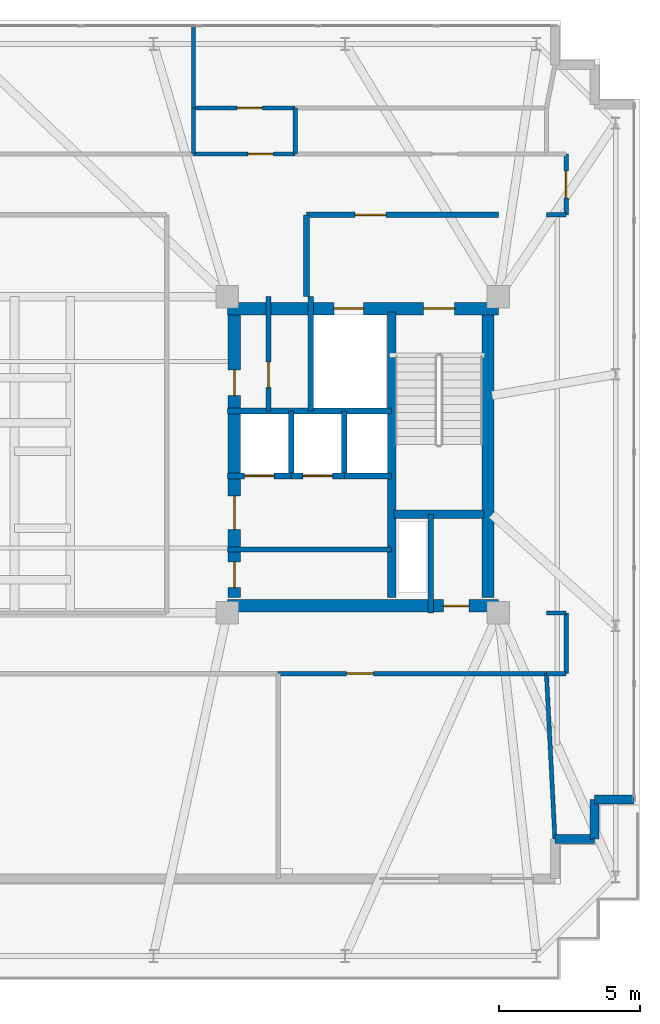
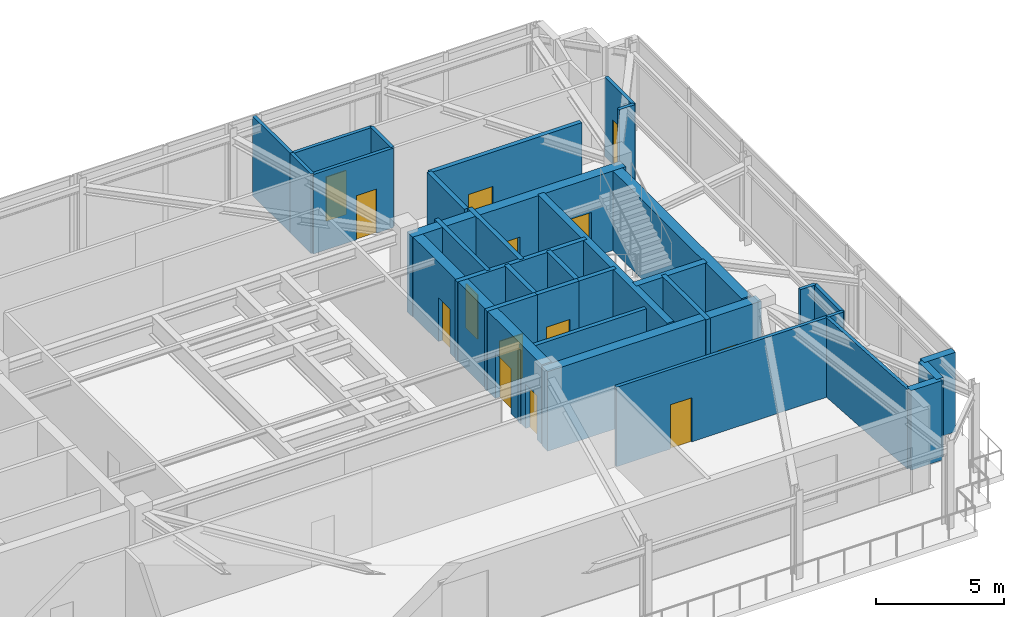
# One storey, part 20 of 24: 33 walls, 14 doors, 14 openings.
"""IFC4 building model written with IfcOpenShell, lengths in metres."""

from ifc_helpers import new_model, si_unit, direction, frame, frame_2d, origin, place, context, subcontext, project, spatial, rectangle, extrude, material, layer, layer_set, type_object, element, fill, save


model = new_model("IFC4")

# Units and contexts
model_context = context("Model", 3, precision=1e-05, world=origin(), true_north=direction((0.0, 1.0)))
body_context = subcontext(model_context, "Body", "Model", "MODEL_VIEW")
ifc_project = project(units=[si_unit("LENGTHUNIT", "METRE"), si_unit("AREAUNIT", "SQUARE_METRE"), si_unit("VOLUMEUNIT", "CUBIC_METRE"), si_unit("PLANEANGLEUNIT", "RADIAN"), si_unit("MASSUNIT", "GRAM", prefix="KILO")], contexts=[model_context])

# Site, building, storey
site_placement = place(None, origin())
site = spatial("IfcSite", under=ifc_project, at=site_placement, CompositionType="ELEMENT")
building_placement = place(site_placement, origin())
building = spatial("IfcBuilding", under=site, at=building_placement, Name="Qobustan Lattice House", CompositionType="ELEMENT")
storey_placement = place(building_placement, frame((0.0, 0.0, 261.800048828125)))
storey = spatial("IfcBuildingStorey", under=building, at=storey_placement, Name="L74", CompositionType="ELEMENT", Elevation=261.800048828125)

# Wall, openings, doors
ifc_material_1 = material(Name="Concrete C50/60", Category="concrete")
ifc_layer_1 = layer(ifc_material_1, 0.43994140625)
ifc_layer_set_1 = layer_set([ifc_layer_1], Name="Concrete C50/60")
wall_type_1 = type_object("IfcWallType", Name="WAL-CORE-440", PredefinedType="SHEAR", material=ifc_layer_set_1)
wall_1_placement = place(storey_placement, frame((9.199951171875, 5.179931640625, 0.0), z_axis=(0.0, 0.0, 1.0), x_axis=(1.0, 0.0, 0.0)))
wall_1 = element("IfcWall", 1, at=wall_1_placement, inside=storey, type_object=wall_type_1, Name="L74 split-core shear wall CE-N", PredefinedType="SHEAR", context=body_context, shape_type="SweptSolid", body=[
    extrude(rectangle(XDim=9.60009765625, YDim=0.43994140625, at=frame_2d((4.800048828125, 0.0))), origin(), (0.0, 0.0, 1.0), 3.780029296875),
])
opening_1_placement = place(wall_1_placement, frame((6.949951171875, 0.0, 0.0)))
opening_1 = element("IfcOpeningElement", 2, at=opening_1_placement, cuts=wall_1, Name="Opening SD-01", PredefinedType="OPENING", context=body_context, shape_type="SweptSolid", body=[
    extrude(rectangle(XDim=1.10009765625, YDim=2.14990234375, at=frame_2d((0.550048828125, 1.074951171875))), frame((0.0, 0.22998046875, 0.0), z_axis=(0.0, -1.0, 0.0), x_axis=(1.0, 0.0, 0.0)), (0.0, 0.0, 1.0), 0.4599609375),
])
opening_2_placement = place(wall_1_placement, frame((3.77490234375, 0.0, 0.0)))
opening_2 = element("IfcOpeningElement", 3, at=opening_2_placement, cuts=wall_1, Name="Opening LD-01", PredefinedType="OPENING", context=body_context, shape_type="SweptSolid", body=[
    extrude(rectangle(XDim=1.050048828125, YDim=2.10009765625, at=frame_2d((0.52490234375, 1.050048828125))), frame((0.0, 0.22998046875, 0.0), z_axis=(0.0, -1.0, 0.0), x_axis=(1.0, 0.0, 0.0)), (0.0, 0.0, 1.0), 0.4599609375),
])
ifc_material_2 = material(Name="Persian walnut timber and steel frame door", Category="steel")
door_type_1 = type_object("IfcDoorType", Name="DOR-LIFT-LD-1050x2100", OperationType="NOTDEFINED", PredefinedType="DOOR", material=ifc_material_2)
door_1_placement = place(opening_2_placement, origin())
door_1 = element("IfcDoor", 4, at=door_1_placement, inside=storey, type_object=door_type_1, Name="L74 firefighting lift FF-E landing door", OperationType="DOUBLE_DOOR_SLIDING", OverallHeight=2.10009765625, OverallWidth=1.050048828125, PredefinedType="DOOR", context=body_context, shape_type="SweptSolid", body=[
    extrude(rectangle(XDim=1.050048828125, YDim=2.10009765625, at=frame_2d((0.52490234375, 1.050048828125))), frame((0.0, 0.02490234375, 0.0), z_axis=(0.0, -1.0, 0.0), x_axis=(1.0, 0.0, 0.0)), (0.0, 0.0, 1.0), 0.050048828125),
])
fill(opening_2, door_1)
ifc_material_3 = material(Name="Persian walnut timber and steel frame door", Category="steel")
door_type_2 = type_object("IfcDoorType", Name="DOR-STAIR-FD-1100x2150", OperationType="NOTDEFINED", PredefinedType="DOOR", material=ifc_material_3)
door_2_placement = place(opening_1_placement, origin())
door_2 = element("IfcDoor", 5, at=door_2_placement, inside=storey, type_object=door_type_2, Name="L74 exit stair ST-E1 fire door", OperationType="SINGLE_SWING_RIGHT", OverallHeight=2.14990234375, OverallWidth=1.10009765625, PredefinedType="DOOR", context=body_context, shape_type="SweptSolid", body=[
    extrude(rectangle(XDim=1.10009765625, YDim=2.14990234375, at=frame_2d((0.550048828125, 1.074951171875))), frame((0.0, 0.02490234375, 0.0), z_axis=(0.0, -1.0, 0.0), x_axis=(1.0, 0.0, 0.0)), (0.0, 0.0, 1.0), 0.050048828125),
])
fill(opening_1, door_2)

# Wall, opening, door
wall_2_placement = place(storey_placement, frame((9.199951171875, -5.35009765625, 0.0), z_axis=(0.0, 0.0, 1.0), x_axis=(1.0, 0.0, 0.0)))
wall_2 = element("IfcWall", 6, at=wall_2_placement, inside=storey, type_object=wall_type_1, Name="L74 split-core shear wall CE-S", PredefinedType="SHEAR", context=body_context, shape_type="SweptSolid", body=[
    extrude(rectangle(XDim=9.60009765625, YDim=0.43994140625, at=frame_2d((4.800048828125, 0.0))), origin(), (0.0, 0.0, 1.0), 3.780029296875),
])
opening_3_placement = place(wall_2_placement, frame((7.64990234375, 0.0, 0.0)))
opening_3 = element("IfcOpeningElement", 7, at=opening_3_placement, cuts=wall_2, Name="Opening RD-01", PredefinedType="OPENING", context=body_context, shape_type="SweptSolid", body=[
    extrude(rectangle(XDim=0.89990234375, YDim=2.10009765625, at=frame_2d((0.449951171875, 1.050048828125))), frame((0.0, 0.22998046875, 0.0), z_axis=(0.0, -1.0, 0.0), x_axis=(1.0, 0.0, 0.0)), (0.0, 0.0, 1.0), 0.4599609375),
])
ifc_material_4 = material(Name="Persian walnut timber and steel frame door", Category="steel")
door_type_3 = type_object("IfcDoorType", Name="DOR-RISER-FD-900x2100", OperationType="NOTDEFINED", PredefinedType="DOOR", material=ifc_material_4)
door_3_placement = place(opening_3_placement, origin())
door_3 = element("IfcDoor", 8, at=door_3_placement, inside=storey, type_object=door_type_3, Name="L74 core service riser access door E", OperationType="SINGLE_SWING_RIGHT", OverallHeight=2.10009765625, OverallWidth=0.89990234375, PredefinedType="DOOR", context=body_context, shape_type="SweptSolid", body=[
    extrude(rectangle(XDim=0.89990234375, YDim=2.10009765625, at=frame_2d((0.449951171875, 1.050048828125))), frame((0.0, 0.02490234375, 0.0), z_axis=(0.0, -1.0, 0.0), x_axis=(1.0, 0.0, 0.0)), (0.0, 0.0, 1.0), 0.050048828125),
])
fill(opening_3, door_3)

# Wall, openings, doors
wall_3_placement = place(storey_placement, frame((9.449951171875, -5.050048828125, 0.0), z_axis=(0.0, 0.0, 1.0), x_axis=(0.0, 1.0, 0.0)))
wall_3 = element("IfcWall", 9, at=wall_3_placement, inside=storey, type_object=wall_type_1, Name="L74 split-core shear wall CE-W", PredefinedType="SHEAR", context=body_context, shape_type="SweptSolid", body=[
    extrude(rectangle(XDim=10.10009765625, YDim=0.43994140625, at=frame_2d((5.050048828125, 0.0))), origin(), (0.0, 0.0, 1.0), 3.780029296875),
])
opening_4_placement = place(wall_3_placement, frame((7.14990234375, 0.0, 0.0)))
opening_4 = element("IfcOpeningElement", 10, at=opening_4_placement, cuts=wall_3, Name="Opening RD-01", PredefinedType="OPENING", context=body_context, shape_type="SweptSolid", body=[
    extrude(rectangle(XDim=0.89990234375, YDim=2.10009765625, at=frame_2d((0.449951171875, 1.050048828125))), frame((0.0, 0.22998046875, 0.0), z_axis=(0.0, -1.0, 0.0), x_axis=(1.0, 0.0, 0.0)), (0.0, 0.0, 1.0), 0.4599609375),
])
opening_5_placement = place(wall_3_placement, frame((2.39990234375, 0.0, 0.0)))
opening_5 = element("IfcOpeningElement", 11, at=opening_5_placement, cuts=wall_3, Name="Opening FD-01", PredefinedType="OPENING", context=body_context, shape_type="SweptSolid", body=[
    extrude(rectangle(XDim=1.199951171875, YDim=2.14990234375, at=frame_2d((0.60009765625, 1.074951171875))), frame((0.0, 0.22998046875, 0.0), z_axis=(0.0, -1.0, 0.0), x_axis=(1.0, 0.0, 0.0)), (0.0, 0.0, 1.0), 0.4599609375),
])
opening_6_placement = place(wall_3_placement, frame((0.35009765625, 0.0, 0.0)))
opening_6 = element("IfcOpeningElement", 12, at=opening_6_placement, cuts=wall_3, Name="Opening RD-01", PredefinedType="OPENING", context=body_context, shape_type="SweptSolid", body=[
    extrude(rectangle(XDim=0.89990234375, YDim=2.10009765625, at=frame_2d((0.449951171875, 1.050048828125))), frame((0.0, 0.22998046875, 0.0), z_axis=(0.0, -1.0, 0.0), x_axis=(1.0, 0.0, 0.0)), (0.0, 0.0, 1.0), 0.4599609375),
])
ifc_material_5 = material(Name="Persian walnut timber and steel frame door", Category="steel")
door_type_4 = type_object("IfcDoorType", Name="DOR-LOBBY-FD-1200x2150", OperationType="NOTDEFINED", PredefinedType="DOOR", material=ifc_material_5)
door_4_placement = place(opening_5_placement, origin())
door_4 = element("IfcDoor", 13, at=door_4_placement, inside=storey, type_object=door_type_4, Name="L74 East passenger lift lobby fire door", OperationType="SINGLE_SWING_LEFT", OverallHeight=2.14990234375, OverallWidth=1.199951171875, PredefinedType="DOOR", context=body_context, shape_type="SweptSolid", body=[
    extrude(rectangle(XDim=1.199951171875, YDim=2.14990234375, at=frame_2d((0.60009765625, 1.074951171875))), frame((0.0, 0.02490234375, 0.0), z_axis=(0.0, -1.0, 0.0), x_axis=(1.0, 0.0, 0.0)), (0.0, 0.0, 1.0), 0.050048828125),
])
fill(opening_5, door_4)
door_5_placement = place(opening_4_placement, origin())
door_5 = element("IfcDoor", 14, at=door_5_placement, inside=storey, type_object=door_type_3, Name="L74 Print and mail closet fire door", OperationType="SINGLE_SWING_RIGHT", OverallHeight=2.10009765625, OverallWidth=0.89990234375, PredefinedType="DOOR", context=body_context, shape_type="SweptSolid", body=[
    extrude(rectangle(XDim=0.89990234375, YDim=2.10009765625, at=frame_2d((0.449951171875, 1.050048828125))), frame((0.0, 0.02490234375, 0.0), z_axis=(0.0, -1.0, 0.0), x_axis=(1.0, 0.0, 0.0)), (0.0, 0.0, 1.0), 0.050048828125),
])
fill(opening_4, door_5)
door_6_placement = place(opening_6_placement, origin())
door_6 = element("IfcDoor", 15, at=door_6_placement, inside=storey, type_object=door_type_3, Name="L74 Graduate seminar alcove fire door", OperationType="SINGLE_SWING_RIGHT", OverallHeight=2.10009765625, OverallWidth=0.89990234375, PredefinedType="DOOR", context=body_context, shape_type="SweptSolid", body=[
    extrude(rectangle(XDim=0.89990234375, YDim=2.10009765625, at=frame_2d((0.449951171875, 1.050048828125))), frame((0.0, 0.02490234375, 0.0), z_axis=(0.0, -1.0, 0.0), x_axis=(1.0, 0.0, 0.0)), (0.0, 0.0, 1.0), 0.050048828125),
])
fill(opening_6, door_6)

# Walls
wall_4_placement = place(storey_placement, frame((18.429931640625, -5.050048828125, 0.0), z_axis=(0.0, 0.0, 1.0), x_axis=(0.0, 1.0, 0.0)))
element("IfcWall", 16, at=wall_4_placement, inside=storey, type_object=wall_type_1, Name="L74 split-core shear wall CE-E", PredefinedType="SHEAR", context=body_context, shape_type="SweptSolid", body=[
    extrude(rectangle(XDim=10.10009765625, YDim=0.43994140625, at=frame_2d((5.050048828125, 0.0))), origin(), (0.0, 0.0, 1.0), 3.780029296875),
])
ifc_material_6 = material(Name="Concrete C50/60", Category="concrete")
ifc_layer_2 = layer(ifc_material_6, 0.280029296875)
ifc_layer_set_2 = layer_set([ifc_layer_2], Name="Concrete C50/60")
wall_type_2 = type_object("IfcWallType", Name="WAL-CORE-SPINE-280", PredefinedType="SHEAR", material=ifc_layer_set_2)
wall_5_placement = place(storey_placement, frame((15.02001953125, -5.050048828125, 0.0), z_axis=(0.0, 0.0, 1.0), x_axis=(0.0, 1.0, 0.0)))
element("IfcWall", 17, at=wall_5_placement, inside=storey, type_object=wall_type_2, Name="L74 split-core shear wall CE-M", PredefinedType="SHEAR", context=body_context, shape_type="SweptSolid", body=[
    extrude(rectangle(XDim=10.10009765625, YDim=0.300048828125, at=frame_2d((5.050048828125, 0.0))), origin(), (0.0, 0.0, 1.0), 3.780029296875),
])
wall_6_placement = place(storey_placement, frame((15.10009765625, -2.110107421875, 0.0), z_axis=(0.0, 0.0, 1.0), x_axis=(1.0, 0.0, 0.0)))
element("IfcWall", 18, at=wall_6_placement, inside=storey, type_object=wall_type_2, Name="L74 split-core shear wall CE-ST", PredefinedType="SHEAR", context=body_context, shape_type="SweptSolid", body=[
    extrude(rectangle(XDim=3.179931640625, YDim=0.300048828125, at=frame_2d((1.58984375, 0.0))), origin(), (0.0, 0.0, 1.0), 3.780029296875),
])
ifc_material_7 = material(Name="Precast concrete C40/50", Category="concrete")
ifc_layer_3 = layer(ifc_material_7, 0.320068359375)
ifc_layer_set_3 = layer_set([ifc_layer_3], Name="Precast concrete C40/50")
wall_type_3 = type_object("IfcWallType", Name="WAL-EXT-STONE-320", PredefinedType="SOLIDWALL", material=ifc_layer_set_3)
for number, where, z_axis, x_axis, name in (
    (19, (23.60009765625, -12.199951171875, 0.0), (0.0, 0.0, 1.0), (-1.0, 0.0, 0.0), "L74 exterior limestone-clad wall 16"),
    (20, (22.199951171875, -12.199951171875, 0.0), (0.0, 0.0, 1.0), (0.0, -1.0, 0.0), "L74 exterior limestone-clad wall 17"),
):
    element("IfcWall", number, at=place(storey_placement, frame(where, z_axis=z_axis, x_axis=x_axis)), inside=storey, type_object=wall_type_3, Name=name, PredefinedType="SOLIDWALL", context=body_context, shape_type="SweptSolid", body=[
        extrude(rectangle(XDim=1.400146484375, YDim=0.320068359375, at=frame_2d((0.7001953125, 0.0))), origin(), (0.0, 0.0, 1.0), 3.780029296875),
    ])
wall_7_placement = place(storey_placement, frame((22.199951171875, -13.60009765625, 0.0), z_axis=(0.0, 0.0, 1.0), x_axis=(-1.0, 0.0, 0.0)))
element("IfcWall", 21, at=wall_7_placement, inside=storey, type_object=wall_type_3, Name="L74 exterior limestone-clad wall 18", PredefinedType="SOLIDWALL", context=body_context, shape_type="SweptSolid", body=[
    extrude(rectangle(XDim=1.39990234375, YDim=0.320068359375, at=frame_2d((0.699951171875, 0.0))), origin(), (0.0, 0.0, 1.0), 3.780029296875),
])

# Wall, opening, door
ifc_material_8 = material(Name="Gypsum fireboard acoustic partition", Category="gypsum")
ifc_layer_4 = layer(ifc_material_8, 0.179931640625)
ifc_layer_set_4 = layer_set([ifc_layer_4], Name="Gypsum fireboard acoustic partition")
wall_type_4 = type_object("IfcWallType", Name="WAL-FIRE-180", PredefinedType="PARTITIONING", material=ifc_layer_set_4)
wall_8_placement = place(storey_placement, frame((10.64990234375, 1.550048828125, 0.0), z_axis=(0.0, 0.0, 1.0), x_axis=(0.0, 1.0, 0.0)))
wall_8 = element("IfcWall", 22, at=wall_8_placement, inside=storey, type_object=wall_type_4, Name="L74 interior partition 16", PredefinedType="PARTITIONING", context=body_context, shape_type="SweptSolid", body=[
    extrude(rectangle(XDim=4.050048828125, YDim=0.179931640625, at=frame_2d((2.02490234375, 0.0))), origin(), (0.0, 0.0, 1.0), 3.780029296875),
])
opening_7_placement = place(wall_8_placement, frame((0.828857421875, 0.0, 0.0)))
opening_7 = element("IfcOpeningElement", 23, at=opening_7_placement, cuts=wall_8, Name="Opening RD-01", PredefinedType="OPENING", context=body_context, shape_type="SweptSolid", body=[
    extrude(rectangle(XDim=0.89990234375, YDim=2.10009765625, at=frame_2d((0.449951171875, 1.050048828125))), frame((0.0, 0.099853515625, 0.0), z_axis=(0.0, -1.0, 0.0), x_axis=(1.0, 0.0, 0.0)), (0.0, 0.0, 1.0), 0.199951171875),
])
door_7_placement = place(opening_7_placement, origin())
door_7 = element("IfcDoor", 24, at=door_7_placement, inside=storey, type_object=door_type_3, Name="L74 Print and mail closet to Core utility store door", OperationType="SINGLE_SWING_LEFT", OverallHeight=2.10009765625, OverallWidth=0.89990234375, PredefinedType="DOOR", context=body_context, shape_type="SweptSolid", body=[
    extrude(rectangle(XDim=0.89990234375, YDim=2.10009765625, at=frame_2d((0.449951171875, 1.050048828125))), frame((0.0, 0.02490234375, 0.0), z_axis=(0.0, -1.0, 0.0), x_axis=(1.0, 0.0, 0.0)), (0.0, 0.0, 1.0), 0.050048828125),
])
fill(opening_7, door_7)

# Wall
wall_9_placement = place(storey_placement, frame((9.199951171875, -3.35009765625, 0.0), z_axis=(0.0, 0.0, 1.0), x_axis=(1.0, 0.0, 0.0)))
element("IfcWall", 25, at=wall_9_placement, inside=storey, type_object=wall_type_4, Name="L74 interior partition 18", PredefinedType="PARTITIONING", context=body_context, shape_type="SweptSolid", body=[
    extrude(rectangle(XDim=5.820068359375, YDim=0.179931640625, at=frame_2d((2.91015625, 0.0))), origin(), (0.0, 0.0, 1.0), 3.494873046875),
])

# Wall, opening, door
ifc_material_9 = material(Name="Acoustic twin-stud gypsum partition", Category="gypsum")
ifc_layer_5 = layer(ifc_material_9, 0.14990234375)
ifc_layer_set_5 = layer_set([ifc_layer_5], Name="Acoustic twin-stud gypsum partition")
wall_type_5 = type_object("IfcWallType", Name="WAL-PART-150", PredefinedType="PARTITIONING", material=ifc_layer_set_5)
wall_10_placement = place(storey_placement, frame((21.199951171875, 10.64990234375, 0.0), z_axis=(0.0, 0.0, 1.0), x_axis=(0.0, -1.0, 0.0)))
wall_10 = element("IfcWall", 26, at=wall_10_placement, inside=storey, type_object=wall_type_5, Name="L74 interior partition 31", PredefinedType="PARTITIONING", context=body_context, shape_type="SweptSolid", body=[
    extrude(rectangle(XDim=2.14990234375, YDim=0.14990234375, at=frame_2d((1.074951171875, 0.0))), origin(), (0.0, 0.0, 1.0), 3.780029296875),
])
opening_8_placement = place(wall_10_placement, frame((0.60009765625, 0.0, 0.0)))
opening_8 = element("IfcOpeningElement", 27, at=opening_8_placement, cuts=wall_10, Name="Opening ID-01", PredefinedType="OPENING", context=body_context, shape_type="SweptSolid", body=[
    extrude(rectangle(XDim=0.949951171875, YDim=2.10009765625, at=frame_2d((0.47509765625, 1.050048828125))), frame((0.0, 0.0849609375, 0.0), z_axis=(0.0, -1.0, 0.0), x_axis=(1.0, 0.0, 0.0)), (0.0, 0.0, 1.0), 0.169921875),
])
ifc_material_10 = material(Name="Persian walnut timber and steel frame door", Category="steel")
door_type_5 = type_object("IfcDoorType", Name="DOR-ROOM-950x2100", OperationType="NOTDEFINED", PredefinedType="DOOR", material=ifc_material_10)
door_8_placement = place(opening_8_placement, origin())
door_8 = element("IfcDoor", 28, at=door_8_placement, inside=storey, type_object=door_type_5, Name="L74 North-east floor corridor to Telescope and audio equipment store door", OperationType="SINGLE_SWING_LEFT", OverallHeight=2.10009765625, OverallWidth=0.949951171875, PredefinedType="DOOR", context=body_context, shape_type="SweptSolid", body=[
    extrude(rectangle(XDim=0.949951171875, YDim=2.10009765625, at=frame_2d((0.47509765625, 1.050048828125))), frame((0.0, 0.02490234375, 0.0), z_axis=(0.0, -1.0, 0.0), x_axis=(1.0, 0.0, 0.0)), (0.0, 0.0, 1.0), 0.050048828125),
])
fill(opening_8, door_8)

# Wall
wall_11_placement = place(storey_placement, frame((21.199951171875, 8.5, 0.0), z_axis=(0.0, 0.0, 1.0), x_axis=(-1.0, 0.0, 0.0)))
element("IfcWall", 29, at=wall_11_placement, inside=storey, type_object=wall_type_5, Name="L74 interior partition 33", PredefinedType="PARTITIONING", context=body_context, shape_type="SweptSolid", body=[
    extrude(rectangle(XDim=0.699951171875, YDim=0.14990234375, at=frame_2d((0.35009765625, 0.0))), origin(), (0.0, 0.0, 1.0), 3.780029296875),
])

# Wall, opening, door
wall_12_placement = place(storey_placement, frame((20.5, -7.75, 0.0), z_axis=(0.0, 0.0, 1.0), x_axis=(-1.0, 0.0, 0.0)))
wall_12 = element("IfcWall", 30, at=wall_12_placement, inside=storey, type_object=wall_type_5, Name="L74 interior partition 45", PredefinedType="PARTITIONING", context=body_context, shape_type="SweptSolid", body=[
    extrude(rectangle(XDim=9.5, YDim=0.14990234375, at=frame_2d((4.75, 0.0))), origin(), (0.0, 0.0, 1.0), 3.780029296875),
])
opening_9_placement = place(wall_12_placement, frame((6.12255859375, 0.0, 0.0)))
opening_9 = element("IfcOpeningElement", 31, at=opening_9_placement, cuts=wall_12, Name="Opening ID-01", PredefinedType="OPENING", context=body_context, shape_type="SweptSolid", body=[
    extrude(rectangle(XDim=0.949951171875, YDim=2.10009765625, at=frame_2d((0.47509765625, 1.050048828125))), frame((0.0, 0.0849609375, 0.0), z_axis=(0.0, -1.0, 0.0), x_axis=(1.0, 0.0, 0.0)), (0.0, 0.0, 1.0), 0.169921875),
])
door_9_placement = place(opening_9_placement, origin())
door_9 = element("IfcDoor", 32, at=door_9_placement, inside=storey, type_object=door_type_5, Name="L74 South-east floor corridor to Observation curator office door", OperationType="SINGLE_SWING_RIGHT", OverallHeight=2.10009765625, OverallWidth=0.949951171875, PredefinedType="DOOR", context=body_context, shape_type="SweptSolid", body=[
    extrude(rectangle(XDim=0.949951171875, YDim=2.10009765625, at=frame_2d((0.47509765625, 1.050048828125))), frame((0.0, 0.02490234375, 0.0), z_axis=(0.0, -1.0, 0.0), x_axis=(1.0, 0.0, 0.0)), (0.0, 0.0, 1.0), 0.050048828125),
])
fill(opening_9, door_9)

# Walls
wall_13_placement = place(storey_placement, frame((21.199951171875, -5.60009765625, 0.0), z_axis=(0.0, 0.0, 1.0), x_axis=(0.0, -1.0, 0.0)))
element("IfcWall", 33, at=wall_13_placement, inside=storey, type_object=wall_type_5, Name="L74 interior partition 46", PredefinedType="PARTITIONING", context=body_context, shape_type="SweptSolid", body=[
    extrude(rectangle(XDim=2.14990234375, YDim=0.14990234375, at=frame_2d((1.074951171875, 0.0))), origin(), (0.0, 0.0, 1.0), 3.780029296875),
])
for number, where, z_axis, x_axis, name in (
    (34, (20.5, -5.60009765625, 0.0), (0.0, 0.0, 1.0), (1.0, 0.0, 0.0), "L74 interior partition 47"),
    (35, (21.199951171875, -7.75, 0.0), (0.0, 0.0, 1.0), (-1.0, 0.0, 0.0), "L74 interior partition 48"),
):
    element("IfcWall", number, at=place(storey_placement, frame(where, z_axis=z_axis, x_axis=x_axis)), inside=storey, type_object=wall_type_5, Name=name, PredefinedType="PARTITIONING", context=body_context, shape_type="SweptSolid", body=[
        extrude(rectangle(XDim=0.699951171875, YDim=0.14990234375, at=frame_2d((0.35009765625, 0.0))), origin(), (0.0, 0.0, 1.0), 3.780029296875),
    ])
wall_14_placement = place(storey_placement, frame((20.5, -7.75, 0.0), z_axis=(0.0, 0.0, 1.0), x_axis=(0.05122221301, -0.998687280831, 0.0)))
element("IfcWall", 36, at=wall_14_placement, inside=storey, type_object=wall_type_5, Name="L74 interior partition 55", PredefinedType="PARTITIONING", context=body_context, shape_type="SweptSolid", body=[
    extrude(rectangle(XDim=5.857666015625, YDim=0.14990234375, at=frame_2d((2.9287109375, 0.0))), origin(), (0.0, 0.0, 1.0), 3.780029296875),
])
wall_15_placement = place(storey_placement, frame((8.0, 15.199951171875, 0.0), z_axis=(0.0, 0.0, 1.0), x_axis=(0.0, -1.0, 0.0)))
element("IfcWall", 37, at=wall_15_placement, inside=storey, type_object=wall_type_5, Name="L74 interior partition 60", PredefinedType="PARTITIONING", context=body_context, shape_type="SweptSolid", body=[
    extrude(rectangle(XDim=2.919921875, YDim=0.14990234375, at=frame_2d((1.4599609375, 0.0))), origin(), (0.0, 0.0, 1.0), 3.780029296875),
])

# Wall, opening, door
ifc_material_11 = material(Name="Two-hour gypsum fireboard acoustic partition", Category="gypsum")
ifc_layer_6 = layer(ifc_material_11, 0.199951171875)
ifc_layer_set_6 = layer_set([ifc_layer_6], Name="Two-hour gypsum fireboard acoustic partition")
wall_type_6 = type_object("IfcWallType", Name="WAL-PROT-200", PredefinedType="PARTITIONING", material=ifc_layer_set_6)
wall_16_placement = place(storey_placement, frame((18.800048828125, 8.5, 0.0), z_axis=(0.0, 0.0, 1.0), x_axis=(-1.0, 0.0, 0.0)))
wall_16 = element("IfcWall", 38, at=wall_16_placement, inside=storey, type_object=wall_type_6, Name="L74 interior partition 14", PredefinedType="PARTITIONING", context=body_context, shape_type="SweptSolid", body=[
    extrude(rectangle(XDim=6.800048828125, YDim=0.199951171875, at=frame_2d((3.39990234375, 0.0))), origin(), (0.0, 0.0, 1.0), 3.780029296875),
])
opening_10_placement = place(wall_16_placement, frame((3.985107421875, 0.0, 0.0)))
opening_10 = element("IfcOpeningElement", 39, at=opening_10_placement, cuts=wall_16, Name="Opening SD-01", PredefinedType="OPENING", context=body_context, shape_type="SweptSolid", body=[
    extrude(rectangle(XDim=1.10009765625, YDim=2.14990234375, at=frame_2d((0.550048828125, 1.074951171875))), frame((0.0, 0.10986328125, 0.0), z_axis=(0.0, -1.0, 0.0), x_axis=(1.0, 0.0, 0.0)), (0.0, 0.0, 1.0), 0.219970703125),
])
door_10_placement = place(opening_10_placement, origin())
door_10 = element("IfcDoor", 40, at=door_10_placement, inside=storey, type_object=door_type_2, Name="L74 East firefighting lift lobby to North-east floor corridor door", OperationType="SINGLE_SWING_RIGHT", OverallHeight=2.14990234375, OverallWidth=1.10009765625, PredefinedType="DOOR", context=body_context, shape_type="SweptSolid", body=[
    extrude(rectangle(XDim=1.10009765625, YDim=2.14990234375, at=frame_2d((0.550048828125, 1.074951171875))), frame((0.0, 0.02490234375, 0.0), z_axis=(0.0, -1.0, 0.0), x_axis=(1.0, 0.0, 0.0)), (0.0, 0.0, 1.0), 0.050048828125),
])
fill(opening_10, door_10)

# Walls
wall_17_placement = place(storey_placement, frame((12.0, 8.5, 0.0), z_axis=(0.0, 0.0, 1.0), x_axis=(0.0, -1.0, 0.0)))
element("IfcWall", 41, at=wall_17_placement, inside=storey, type_object=wall_type_6, Name="L74 interior partition 15", PredefinedType="PARTITIONING", context=body_context, shape_type="SweptSolid", body=[
    extrude(rectangle(XDim=2.89990234375, YDim=0.199951171875, at=frame_2d((1.449951171875, 0.0))), origin(), (0.0, 0.0, 1.0), 3.780029296875),
])
ifc_material_12 = material(Name="Concrete C40/50", Category="concrete")
ifc_layer_7 = layer(ifc_material_12, 0.199951171875)
ifc_layer_set_7 = layer_set([ifc_layer_7], Name="Concrete C40/50")
wall_type_7 = type_object("IfcWallType", Name="WAL-SHAFT-200", PredefinedType="PARTITIONING", material=ifc_layer_set_7)
wall_18_placement = place(storey_placement, frame((16.39990234375, -2.110107421875, 0.0), z_axis=(0.0, 0.0, 1.0), x_axis=(0.0, -1.0, 0.0)))
element("IfcWall", 42, at=wall_18_placement, inside=storey, type_object=wall_type_7, Name="L74 interior partition 12", PredefinedType="PARTITIONING", context=body_context, shape_type="SweptSolid", body=[
    extrude(rectangle(XDim=3.489990234375, YDim=0.199951171875, at=frame_2d((1.7451171875, 0.0))), origin(), (0.0, 0.0, 1.0), 3.780029296875),
])
wall_19_placement = place(storey_placement, frame((12.14990234375, 5.60009765625, 0.0), z_axis=(0.0, 0.0, 1.0), x_axis=(0.0, -1.0, 0.0)))
element("IfcWall", 43, at=wall_19_placement, inside=storey, type_object=wall_type_7, Name="L74 interior partition 13", PredefinedType="PARTITIONING", context=body_context, shape_type="SweptSolid", body=[
    extrude(rectangle(XDim=4.050048828125, YDim=0.199951171875, at=frame_2d((2.02490234375, 0.0))), origin(), (0.0, 0.0, 1.0), 3.780029296875),
])

# Wall, opening, door
wall_20_placement = place(storey_placement, frame((11.4599609375, -0.75, 0.0), z_axis=(0.0, 0.0, 1.0), x_axis=(-1.0, 0.0, 0.0)))
wall_20 = element("IfcWall", 44, at=wall_20_placement, inside=storey, type_object=wall_type_7, Name="L74 interior partition 19", PredefinedType="PARTITIONING", context=body_context, shape_type="SweptSolid", body=[
    extrude(rectangle(XDim=2.260009765625, YDim=0.199951171875, at=frame_2d((1.1298828125, 0.0))), origin(), (0.0, 0.0, 1.0), 3.780029296875),
])
opening_11_placement = place(wall_20_placement, frame((0.60498046875, 0.0, 0.0)))
opening_11 = element("IfcOpeningElement", 45, at=opening_11_placement, cuts=wall_20, Name="Opening LD-01", PredefinedType="OPENING", context=body_context, shape_type="SweptSolid", body=[
    extrude(rectangle(XDim=1.050048828125, YDim=2.10009765625, at=frame_2d((0.52490234375, 1.050048828125))), frame((0.0, 0.10986328125, 0.0), z_axis=(0.0, -1.0, 0.0), x_axis=(1.0, 0.0, 0.0)), (0.0, 0.0, 1.0), 0.219970703125),
])
door_11_placement = place(opening_11_placement, origin())
door_11 = element("IfcDoor", 46, at=door_11_placement, inside=storey, type_object=door_type_1, Name="L74 lift landing door", OperationType="DOUBLE_DOOR_SLIDING", OverallHeight=2.10009765625, OverallWidth=1.050048828125, PredefinedType="DOOR", context=body_context, shape_type="SweptSolid", body=[
    extrude(rectangle(XDim=1.050048828125, YDim=2.10009765625, at=frame_2d((0.52490234375, 1.050048828125))), frame((0.0, 0.02490234375, 0.0), z_axis=(0.0, -1.0, 0.0), x_axis=(1.0, 0.0, 0.0)), (0.0, 0.0, 1.0), 0.050048828125),
])
fill(opening_11, door_11)

wall_21_placement = place(storey_placement, frame((13.340087890625, -0.75, 0.0), z_axis=(0.0, 0.0, 1.0), x_axis=(-1.0, 0.0, 0.0)))
wall_21 = element("IfcWall", 47, at=wall_21_placement, inside=storey, type_object=wall_type_7, Name="L74 interior partition 20", PredefinedType="PARTITIONING", context=body_context, shape_type="SweptSolid", body=[
    extrude(rectangle(XDim=1.880126953125, YDim=0.199951171875, at=frame_2d((0.93994140625, 0.0))), origin(), (0.0, 0.0, 1.0), 3.780029296875),
])
opening_12_placement = place(wall_21_placement, frame((0.4150390625, 0.0, 0.0)))
opening_12 = element("IfcOpeningElement", 48, at=opening_12_placement, cuts=wall_21, Name="Opening LD-01", PredefinedType="OPENING", context=body_context, shape_type="SweptSolid", body=[
    extrude(rectangle(XDim=1.050048828125, YDim=2.10009765625, at=frame_2d((0.52490234375, 1.050048828125))), frame((0.0, 0.10986328125, 0.0), z_axis=(0.0, -1.0, 0.0), x_axis=(1.0, 0.0, 0.0)), (0.0, 0.0, 1.0), 0.219970703125),
])
door_12_placement = place(opening_12_placement, origin())
door_12 = element("IfcDoor", 49, at=door_12_placement, inside=storey, type_object=door_type_1, Name="L74 lift landing door", OperationType="DOUBLE_DOOR_SLIDING", OverallHeight=2.10009765625, OverallWidth=1.050048828125, PredefinedType="DOOR", context=body_context, shape_type="SweptSolid", body=[
    extrude(rectangle(XDim=1.050048828125, YDim=2.10009765625, at=frame_2d((0.52490234375, 1.050048828125))), frame((0.0, 0.02490234375, 0.0), z_axis=(0.0, -1.0, 0.0), x_axis=(1.0, 0.0, 0.0)), (0.0, 0.0, 1.0), 0.050048828125),
])
fill(opening_12, door_12)

# Walls
wall_22_placement = place(storey_placement, frame((15.02001953125, -0.75, 0.0), z_axis=(0.0, 0.0, 1.0), x_axis=(-1.0, 0.0, 0.0)))
element("IfcWall", 50, at=wall_22_placement, inside=storey, type_object=wall_type_7, Name="L74 interior partition 21", PredefinedType="PARTITIONING", context=body_context, shape_type="SweptSolid", body=[
    extrude(rectangle(XDim=1.679931640625, YDim=0.199951171875, at=frame_2d((0.83984375, 0.0))), origin(), (0.0, 0.0, 1.0), 3.780029296875),
])
for number, where, z_axis, x_axis, name in (
    (51, (11.4599609375, -0.75, 0.0), (0.0, 0.0, 1.0), (0.0, 1.0, 0.0), "L74 interior partition 24"),
    (52, (13.340087890625, -0.75, 0.0), (0.0, 0.0, 1.0), (0.0, 1.0, 0.0), "L74 interior partition 25"),
):
    element("IfcWall", number, at=place(storey_placement, frame(where, z_axis=z_axis, x_axis=x_axis)), inside=storey, type_object=wall_type_7, Name=name, PredefinedType="PARTITIONING", context=body_context, shape_type="SweptSolid", body=[
        extrude(rectangle(XDim=2.300048828125, YDim=0.199951171875, at=frame_2d((1.14990234375, 0.0))), origin(), (0.0, 0.0, 1.0), 3.780029296875),
    ])
wall_23_placement = place(storey_placement, frame((9.199951171875, 1.550048828125, 0.0), z_axis=(0.0, 0.0, 1.0), x_axis=(1.0, 0.0, 0.0)))
element("IfcWall", 53, at=wall_23_placement, inside=storey, type_object=wall_type_7, Name="L74 interior partition 65", PredefinedType="PARTITIONING", context=body_context, shape_type="SweptSolid", body=[
    extrude(rectangle(XDim=5.820068359375, YDim=0.199951171875, at=frame_2d((2.91015625, 0.0))), origin(), (0.0, 0.0, 1.0), 3.780029296875),
])

# Wall, opening, door
ifc_material_13 = material(Name="Moisture-resistant acoustic plumbing wall", Category="gypsum")
ifc_layer_8 = layer(ifc_material_13, 0.14990234375)
ifc_layer_set_8 = layer_set([ifc_layer_8], Name="Moisture-resistant acoustic plumbing wall")
wall_type_8 = type_object("IfcWallType", Name="WAL-WET-150", PredefinedType="PLUMBINGWALL", material=ifc_layer_set_8)
wall_24_placement = place(storey_placement, frame((8.0, 10.64990234375, 0.0), z_axis=(0.0, 0.0, 1.0), x_axis=(1.0, 0.0, 0.0)))
wall_24 = element("IfcWall", 54, at=wall_24_placement, inside=storey, type_object=wall_type_8, Name="L74 interior partition 35", PredefinedType="PLUMBINGWALL", context=body_context, shape_type="SweptSolid", body=[
    extrude(rectangle(XDim=3.60009765625, YDim=0.14990234375, at=frame_2d((1.800048828125, 0.0))), origin(), (0.0, 0.0, 1.0), 3.780029296875),
])
opening_13_placement = place(wall_24_placement, frame((1.927490234375, 0.0, 0.0)))
opening_13 = element("IfcOpeningElement", 55, at=opening_13_placement, cuts=wall_24, Name="Opening WD-01", PredefinedType="OPENING", context=body_context, shape_type="SweptSolid", body=[
    extrude(rectangle(XDim=0.89990234375, YDim=2.10009765625, at=frame_2d((0.449951171875, 1.050048828125))), frame((0.0, 0.0849609375, 0.0), z_axis=(0.0, -1.0, 0.0), x_axis=(1.0, 0.0, 0.0)), (0.0, 0.0, 1.0), 0.169921875),
])
ifc_material_14 = material(Name="Persian walnut timber and steel frame door", Category="steel")
door_type_6 = type_object("IfcDoorType", Name="DOR-WET-900x2100", OperationType="NOTDEFINED", PredefinedType="DOOR", material=ifc_material_14)
door_13_placement = place(opening_13_placement, origin())
door_13 = element("IfcDoor", 56, at=door_13_placement, inside=storey, type_object=door_type_6, Name="L74 North-east floor corridor to Public WC door", OperationType="SINGLE_SWING_RIGHT", OverallHeight=2.10009765625, OverallWidth=0.89990234375, PredefinedType="DOOR", context=body_context, shape_type="SweptSolid", body=[
    extrude(rectangle(XDim=0.89990234375, YDim=2.10009765625, at=frame_2d((0.449951171875, 1.050048828125))), frame((0.0, 0.02490234375, 0.0), z_axis=(0.0, -1.0, 0.0), x_axis=(1.0, 0.0, 0.0)), (0.0, 0.0, 1.0), 0.050048828125),
])
fill(opening_13, door_13)

# Walls
for number, where, z_axis, x_axis, name in (
    (57, (8.0, 12.280029296875, 0.0), (0.0, 0.0, 1.0), (0.0, -1.0, 0.0), "L74 interior partition 59"),
    (58, (11.60009765625, 12.280029296875, 0.0), (0.0, 0.0, 1.0), (0.0, -1.0, 0.0), "L74 interior partition 61"),
):
    element("IfcWall", number, at=place(storey_placement, frame(where, z_axis=z_axis, x_axis=x_axis)), inside=storey, type_object=wall_type_8, Name=name, PredefinedType="PLUMBINGWALL", context=body_context, shape_type="SweptSolid", body=[
        extrude(rectangle(XDim=1.630126953125, YDim=0.14990234375, at=frame_2d((0.81494140625, 0.0))), origin(), (0.0, 0.0, 1.0), 3.780029296875),
    ])

# Wall, opening, door
wall_25_placement = place(storey_placement, frame((8.0, 12.280029296875, 0.0), z_axis=(0.0, 0.0, 1.0), x_axis=(1.0, 0.0, 0.0)))
wall_25 = element("IfcWall", 59, at=wall_25_placement, inside=storey, type_object=wall_type_8, Name="L74 interior partition 62", PredefinedType="PLUMBINGWALL", context=body_context, shape_type="SweptSolid", body=[
    extrude(rectangle(XDim=3.60009765625, YDim=0.14990234375, at=frame_2d((1.800048828125, 0.0))), origin(), (0.0, 0.0, 1.0), 3.780029296875),
])
opening_14_placement = place(wall_25_placement, frame((1.54248046875, 0.0, 0.0)))
opening_14 = element("IfcOpeningElement", 60, at=opening_14_placement, cuts=wall_25, Name="Opening WD-01", PredefinedType="OPENING", context=body_context, shape_type="SweptSolid", body=[
    extrude(rectangle(XDim=0.89990234375, YDim=2.10009765625, at=frame_2d((0.449951171875, 1.050048828125))), frame((0.0, 0.0849609375, 0.0), z_axis=(0.0, -1.0, 0.0), x_axis=(1.0, 0.0, 0.0)), (0.0, 0.0, 1.0), 0.169921875),
])
door_14_placement = place(opening_14_placement, origin())
door_14 = element("IfcDoor", 61, at=door_14_placement, inside=storey, type_object=door_type_6, Name="L74 Public WC to Equipment and archive store door", OperationType="SINGLE_SWING_RIGHT", OverallHeight=2.10009765625, OverallWidth=0.89990234375, PredefinedType="DOOR", context=body_context, shape_type="SweptSolid", body=[
    extrude(rectangle(XDim=0.89990234375, YDim=2.10009765625, at=frame_2d((0.449951171875, 1.050048828125))), frame((0.0, 0.02490234375, 0.0), z_axis=(0.0, -1.0, 0.0), x_axis=(1.0, 0.0, 0.0)), (0.0, 0.0, 1.0), 0.050048828125),
])
fill(opening_14, door_14)

save(model, "model.ifc")
